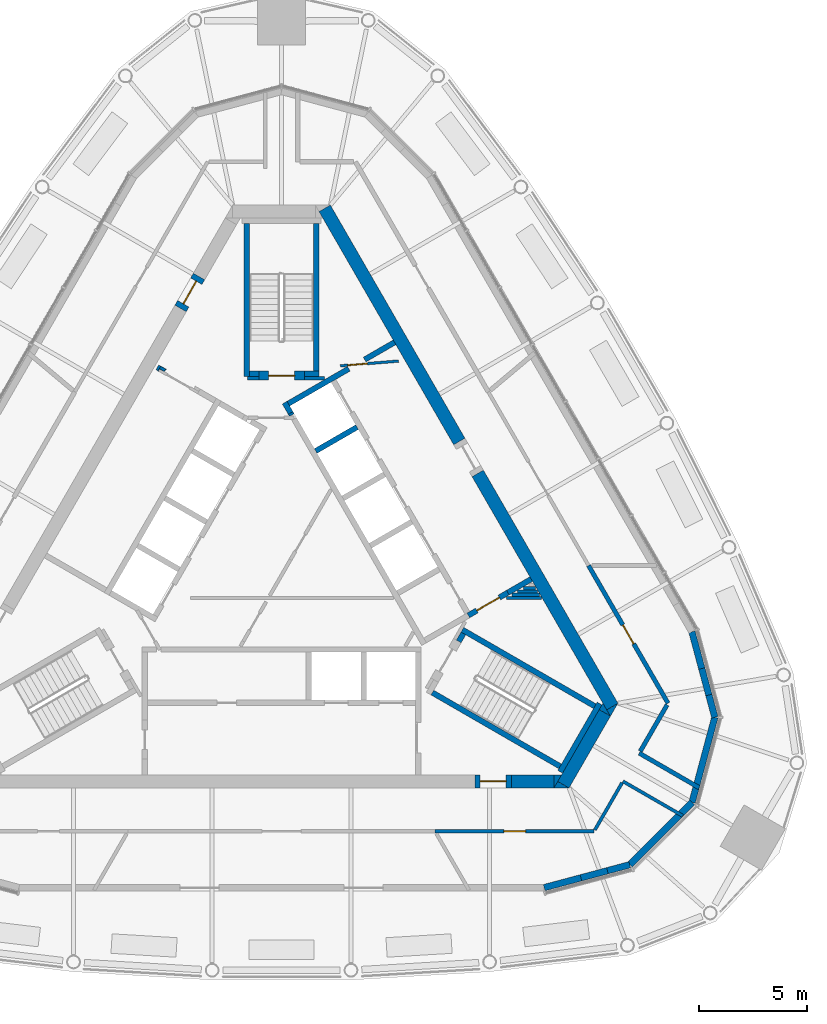
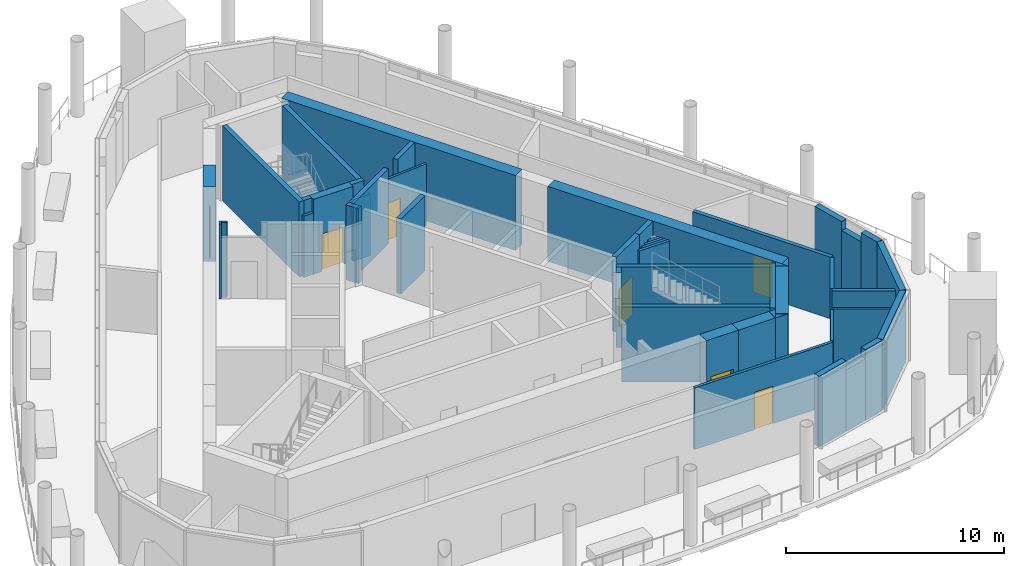
# One storey, part 8 of 15: 49 walls, 7 doors, 7 openings.
"""IFC4 building model written with IfcOpenShell, lengths in metres."""

from ifc_helpers import new_model, si_unit, direction, frame, frame_2d, origin, place, context, subcontext, project, spatial, polyline, rectangle, outline, extrude, material, layer, layer_set, type_object, element, fill, save


model = new_model("IFC4")

# Units and contexts
model_context = context("Model", 3, precision=1e-05, world=origin(), true_north=direction((0.0, 1.0)))
body_context = subcontext(model_context, "Body", "Model", "MODEL_VIEW")
ifc_project = project(units=[si_unit("LENGTHUNIT", "METRE"), si_unit("AREAUNIT", "SQUARE_METRE"), si_unit("VOLUMEUNIT", "CUBIC_METRE"), si_unit("PLANEANGLEUNIT", "RADIAN"), si_unit("MASSUNIT", "GRAM", prefix="KILO")], contexts=[model_context])

# Site, building, storey
site_placement = place(None, origin())
site = spatial("IfcSite", under=ifc_project, at=site_placement, CompositionType="ELEMENT")
building_placement = place(site_placement, origin())
building = spatial("IfcBuilding", under=site, at=building_placement, Name="Mestral Congress Tower", CompositionType="ELEMENT")
storey_placement = place(building_placement, frame((0.0, 0.0, 327.60009765625)))
storey = spatial("IfcBuildingStorey", under=building, at=storey_placement, Name="L76", CompositionType="ELEMENT", Elevation=327.60009765625)

# Walls
ifc_material_1 = material(Name="Fire-rated board partition")
ifc_layer_1 = layer(ifc_material_1, 0.14990234375)
ifc_layer_set_1 = layer_set([ifc_layer_1], Name="Fire-rated board partition")
wall_type_1 = type_object("IfcWallType", Name="Core partition 150", PredefinedType="PARTITIONING", material=ifc_layer_set_1)
wall_1_placement = place(storey_placement, frame((1.050048828125, 8.62548828125, 0.0), z_axis=(0.0, 0.0, 1.0), x_axis=(1.0, 0.0, 0.0)))
element("IfcWall", 1, at=wall_1_placement, inside=storey, type_object=wall_type_1, Name="L76 core wall", PredefinedType="PARTITIONING", context=body_context, shape_type="SweptSolid", body=[
    extrude(rectangle(XDim=0.9287109375, YDim=0.14990234375, at=frame_2d((0.46435546875, 0.0))), origin(), (0.0, 0.0, 1.0), 3.449951171875),
])
wall_2_placement = place(storey_placement, frame((-1.56396484375, 8.62548828125, 0.0), z_axis=(0.0, 0.0, 1.0), x_axis=(1.0, 0.0, 0.0)))
element("IfcWall", 2, at=wall_2_placement, inside=storey, type_object=wall_type_1, Name="L76 core wall", PredefinedType="PARTITIONING", context=body_context, shape_type="SweptSolid", body=[
    extrude(rectangle(XDim=0.513916015625, YDim=0.14990234375, at=frame_2d((0.2568359375, 0.0))), origin(), (0.0, 0.0, 1.0), 3.449951171875),
])
wall_3_placement = place(storey_placement, frame((10.3623046875, -1.5, 0.0), z_axis=(0.0, 0.0, 1.0), x_axis=(1.0, 0.0, 0.0)))
element("IfcWall", 3, at=wall_3_placement, inside=storey, type_object=wall_type_1, Name="L76 core wall", PredefinedType="PARTITIONING", context=body_context, shape_type="SweptSolid", body=[
    extrude(rectangle(XDim=1.60986328125, YDim=0.14990234375, at=frame_2d((0.804931640625, 0.0))), origin(), (0.0, 0.0, 1.0), 3.449951171875),
])
wall_4_placement = place(storey_placement, frame((10.6220703125, -1.35009765625, 0.0), z_axis=(0.0, 0.0, 1.0), x_axis=(1.0, 0.0, 0.0)))
element("IfcWall", 4, at=wall_4_placement, inside=storey, type_object=wall_type_1, Name="L76 core wall", PredefinedType="PARTITIONING", context=body_context, shape_type="SweptSolid", body=[
    extrude(rectangle(XDim=1.263427734375, YDim=0.14990234375, at=frame_2d((0.6318359375, 0.0))), origin(), (0.0, 0.0, 1.0), 3.449951171875),
])
wall_5_placement = place(storey_placement, frame((10.881591796875, -1.199951171875, 0.0), z_axis=(0.0, 0.0, 1.0), x_axis=(1.0, 0.0, 0.0)))
element("IfcWall", 5, at=wall_5_placement, inside=storey, type_object=wall_type_1, Name="L76 core wall", PredefinedType="PARTITIONING", context=body_context, shape_type="SweptSolid", body=[
    extrude(rectangle(XDim=0.91748046875, YDim=0.14990234375, at=frame_2d((0.458740234375, 0.0))), origin(), (0.0, 0.0, 1.0), 3.449951171875),
])
wall_6_placement = place(storey_placement, frame((11.71240234375, -1.050048828125, 0.0), z_axis=(0.0, 0.0, 1.0), x_axis=(-1.0, 0.0, 0.0)))
element("IfcWall", 6, at=wall_6_placement, inside=storey, type_object=wall_type_1, Name="L76 core wall", PredefinedType="PARTITIONING", context=body_context, shape_type="SweptSolid", body=[
    extrude(rectangle(XDim=0.57080078125, YDim=0.14990234375, at=frame_2d((0.285400390625, 0.0))), origin(), (0.0, 0.0, 1.0), 3.449951171875),
])

# Wall, opening, door
ifc_layer_2 = layer(ifc_material_1, 0.1201171875)
ifc_layer_set_2 = layer_set([ifc_layer_2], Name="Fire-rated board partition")
wall_type_2 = type_object("IfcWallType", Name="Core partition 150 door-wall 120", PredefinedType="PARTITIONING", material=ifc_layer_set_2)
wall_7_placement = place(storey_placement, frame((5.3984375, 9.418701171875, 0.0), z_axis=(0.0, 0.0, 1.0), x_axis=(-0.996653416376, -0.081743303248, 0.0)))
wall_7 = element("IfcWall", 7, at=wall_7_placement, inside=storey, type_object=wall_type_2, Name="L76 door wall", PredefinedType="PARTITIONING", context=body_context, shape_type="SweptSolid", body=[
    extrude(rectangle(XDim=2.699951171875, YDim=0.119873046875, at=frame_2d((1.35009765625, 0.0))), origin(), (0.0, 0.0, 1.0), 3.449951171875),
])
opening_1_placement = place(wall_7_placement, frame((1.449951171875, 0.0, 0.0)))
opening_1 = element("IfcOpeningElement", 8, at=opening_1_placement, cuts=wall_7, Name="Opening TD2", PredefinedType="OPENING", context=body_context, shape_type="SweptSolid", body=[
    extrude(rectangle(XDim=0.89990234375, YDim=2.10009765625, at=frame_2d((0.449951171875, 1.050048828125))), frame((0.0, 0.06982421875, 0.0), z_axis=(0.0, -1.0, 0.0), x_axis=(1.0, 0.0, 0.0)), (0.0, 0.0, 1.0), 0.139892578125),
])
ifc_material_2 = material(Name="Fire-rated steel door set", Category="steel")
door_type_1 = type_object("IfcDoorType", Name="Core door SR 900x2100", OperationType="SINGLE_SWING_LEFT", PredefinedType="DOOR", material=ifc_material_2)
door_1_placement = place(opening_1_placement, origin())
door_1 = element("IfcDoor", 9, at=door_1_placement, inside=storey, type_object=door_type_1, Name="Door TD2", OperationType="SINGLE_SWING_LEFT", OverallHeight=2.10009765625, OverallWidth=0.89990234375, PredefinedType="DOOR", context=body_context, shape_type="SweptSolid", body=[
    extrude(rectangle(XDim=0.89990234375, YDim=2.10009765625, at=frame_2d((0.449951171875, 1.050048828125))), frame((0.0, 0.02490234375, 0.0), z_axis=(0.0, -1.0, 0.0), x_axis=(1.0, 0.0, 0.0)), (0.0, 0.0, 1.0), 0.050048828125),
])
fill(opening_1, door_1)

# Walls
ifc_material_3 = material(Name="Concrete C60/75", Category="concrete")
ifc_layer_3 = layer(ifc_material_3, 0.60009765625)
ifc_layer_set_3 = layer_set([ifc_layer_3], Name="Concrete C60/75")
wall_type_3 = type_object("IfcWallType", Name="Core wall RC 600", PredefinedType="SOLIDWALL", material=ifc_layer_set_3)
wall_8_placement = place(storey_placement, frame((9.0419921875, 4.23876953125, 0.0), z_axis=(0.0, 0.0, 1.0), x_axis=(0.500005785455, -0.866022063525, 0.0)))
element("IfcWall", 10, at=wall_8_placement, inside=storey, type_object=wall_type_3, Name="L76 core wall", PredefinedType="SOLIDWALL", context=body_context, shape_type="SweptSolid", body=[
    extrude(rectangle(XDim=12.406494140625, YDim=0.60009765625, at=frame_2d((6.203125, 0.0))), origin(), (0.0, 0.0, 1.0), 4.199951171875),
])
placement = place(storey_placement, origin())
element("IfcWall", 11, at=placement, inside=storey, type_object=wall_type_3, Name="L76 core wall", PredefinedType="SOLIDWALL", context=body_context, shape_type="SweptSolid", body=[
    extrude(outline(polyline([(15.155517578125, -6.949951171875), (14.986572265625, -6.6572265625), (15.493408203125, -6.364501953125), (15.155517578125, -6.949951171875)])), origin(), (0.0, 0.0, 1.0), 4.199951171875),
])
wall_10_placement = place(storey_placement, frame((12.9873046875, -10.105712890625, 0.0), z_axis=(0.0, 0.0, 1.0), x_axis=(0.499950938802, 0.866053727428, 0.0)))
element("IfcWall", 12, at=wall_10_placement, inside=storey, type_object=wall_type_3, Name="L76 core wall", PredefinedType="SOLIDWALL", context=body_context, shape_type="SweptSolid", body=[
    extrude(rectangle(XDim=3.8232421875, YDim=0.60009765625, at=frame_2d((1.91162109375, 0.0))), origin(), (0.0, 0.0, 1.0), 4.199951171875),
])
element("IfcWall", 13, at=placement, inside=storey, type_object=wall_type_3, Name="L76 core wall", PredefinedType="SOLIDWALL", context=body_context, shape_type="SweptSolid", body=[
    extrude(outline(polyline([(12.726318359375, -9.957275390625), (13.2333984375, -10.25), (12.557373046875, -10.25), (12.726318359375, -9.957275390625)])), origin(), (0.0, 0.0, 1.0), 4.199951171875),
])
element("IfcWall", 14, at=placement, inside=storey, type_object=wall_type_3, Name="L76 core wall", PredefinedType="SOLIDWALL", context=body_context, shape_type="SweptSolid", body=[
    extrude(outline(polyline([(14.80908203125, -6.35009765625), (15.147216796875, -6.935791015625), (14.639892578125, -6.642822265625), (14.80908203125, -6.35009765625)])), origin(), (0.0, 0.0, 1.0), 4.199951171875),
])
wall_13_placement = place(storey_placement, frame((10.6044921875, -9.949951171875, 0.0), z_axis=(0.0, 0.0, 1.0), x_axis=(1.0, 0.0, 0.0)))
element("IfcWall", 15, at=wall_13_placement, inside=storey, type_object=wall_type_3, Name="L76 core wall", PredefinedType="SOLIDWALL", context=body_context, shape_type="SweptSolid", body=[
    extrude(rectangle(XDim=1.959228515625, YDim=0.60009765625, at=frame_2d((0.9794921875, 0.0))), origin(), (0.0, 0.0, 1.0), 4.199951171875),
])
element("IfcWall", 16, at=placement, inside=storey, type_object=wall_type_3, Name="L76 core wall", PredefinedType="SOLIDWALL", context=body_context, shape_type="SweptSolid", body=[
    extrude(outline(polyline([(12.90380859375, -9.64990234375), (12.56591796875, -10.235595703125), (12.56591796875, -9.64990234375), (12.90380859375, -9.64990234375)])), origin(), (0.0, 0.0, 1.0), 4.199951171875),
])
wall_15_placement = place(storey_placement, frame((1.98876953125, 16.45556640625, 0.0), z_axis=(0.0, 0.0, 1.0), x_axis=(0.49999102663, -0.8660305845, 0.0)))
element("IfcWall", 17, at=wall_15_placement, inside=storey, type_object=wall_type_3, Name="L76 core wall", PredefinedType="SOLIDWALL", context=body_context, shape_type="SweptSolid", body=[
    extrude(rectangle(XDim=12.406494140625, YDim=0.60009765625, at=frame_2d((6.203125, 0.0))), origin(), (0.0, 0.0, 1.0), 4.199951171875),
])

# Wall, opening, door
wall_16_placement = place(storey_placement, frame((10.6044921875, -9.949951171875, 0.0), z_axis=(0.0, 0.0, 1.0), x_axis=(-1.0, 0.0, 0.0)))
wall_16 = element("IfcWall", 18, at=wall_16_placement, inside=storey, type_object=wall_type_3, Name="L76 door wall", PredefinedType="SOLIDWALL", context=body_context, shape_type="SweptSolid", body=[
    extrude(rectangle(XDim=1.699951171875, YDim=0.60009765625, at=frame_2d((0.85009765625, 0.0))), origin(), (0.0, 0.0, 1.0), 4.199951171875),
])
opening_2_placement = place(wall_16_placement, frame((0.25, 0.0, 0.0)))
opening_2 = element("IfcOpeningElement", 19, at=opening_2_placement, cuts=wall_16, Name="Opening XD1", PredefinedType="OPENING", context=body_context, shape_type="SweptSolid", body=[
    extrude(rectangle(XDim=1.199951171875, YDim=2.10009765625, at=frame_2d((0.60009765625, 1.050048828125))), frame((0.0, 0.31005859375, 0.0), z_axis=(0.0, -1.0, 0.0), x_axis=(1.0, 0.0, 0.0)), (0.0, 0.0, 1.0), 0.6201171875),
])
door_type_2 = type_object("IfcDoorType", Name="Core door XD 1200x2100", OperationType="SINGLE_SWING_LEFT", PredefinedType="DOOR", material=ifc_material_2)
door_2_placement = place(opening_2_placement, origin())
door_2 = element("IfcDoor", 20, at=door_2_placement, inside=storey, type_object=door_type_2, Name="Door XD1", OperationType="SINGLE_SWING_LEFT", OverallHeight=2.10009765625, OverallWidth=1.199951171875, PredefinedType="DOOR", context=body_context, shape_type="SweptSolid", body=[
    extrude(rectangle(XDim=1.199951171875, YDim=2.10009765625, at=frame_2d((0.60009765625, 1.050048828125))), frame((0.0, 0.02490234375, 0.0), z_axis=(0.0, -1.0, 0.0), x_axis=(1.0, 0.0, 0.0)), (0.0, 0.0, 1.0), 0.050048828125),
])
fill(opening_2, door_2)

wall_17_placement = place(storey_placement, frame((-4.65234375, 11.842041015625, 0.0), z_axis=(0.0, 0.0, 1.0), x_axis=(0.500062241894, 0.865989465428, 0.0)))
wall_17 = element("IfcWall", 21, at=wall_17_placement, inside=storey, type_object=wall_type_3, Name="L76 door wall", PredefinedType="SOLIDWALL", context=body_context, shape_type="SweptSolid", body=[
    extrude(rectangle(XDim=1.699951171875, YDim=0.60009765625, at=frame_2d((0.85009765625, 0.0))), origin(), (0.0, 0.0, 1.0), 4.199951171875),
])
opening_3_placement = place(wall_17_placement, frame((0.25, 0.0, 0.0)))
opening_3 = element("IfcOpeningElement", 22, at=opening_3_placement, cuts=wall_17, Name="Opening XD2", PredefinedType="OPENING", context=body_context, shape_type="SweptSolid", body=[
    extrude(rectangle(XDim=1.199951171875, YDim=2.10009765625, at=frame_2d((0.60009765625, 1.050048828125))), frame((0.0, 0.31005859375, 0.0), z_axis=(0.0, -1.0, 0.0), x_axis=(1.0, 0.0, 0.0)), (0.0, 0.0, 1.0), 0.6201171875),
])
door_3_placement = place(opening_3_placement, origin())
door_3 = element("IfcDoor", 23, at=door_3_placement, inside=storey, type_object=door_type_2, Name="Door XD2", OperationType="SINGLE_SWING_LEFT", OverallHeight=2.10009765625, OverallWidth=1.199951171875, PredefinedType="DOOR", context=body_context, shape_type="SweptSolid", body=[
    extrude(rectangle(XDim=1.199951171875, YDim=2.10009765625, at=frame_2d((0.60009765625, 1.050048828125))), frame((0.0, 0.02490234375, 0.0), z_axis=(0.0, -1.0, 0.0), x_axis=(1.0, 0.0, 0.0)), (0.0, 0.0, 1.0), 0.050048828125),
])
fill(opening_3, door_3)

# Walls
ifc_material_4 = material(Name="Precast concrete C40/50 with limestone facing", Category="masonry")
ifc_layer_4 = layer(ifc_material_4, 0.300048828125)
ifc_layer_set_4 = layer_set([ifc_layer_4], Name="Precast concrete C40/50 with limestone facing")
wall_type_4 = type_object("IfcWallType", Name="Crown plant block wall 300", PredefinedType="SOLIDWALL", material=ifc_layer_set_4)
wall_18_placement = place(storey_placement, frame((12.104736328125, -14.85009765625, 0.0), z_axis=(0.0, 0.0, 1.0), x_axis=(0.965915089044, 0.258859113723, 0.0)))
element("IfcWall", 24, at=wall_18_placement, inside=storey, type_object=wall_type_4, Name="Plant block wall 1", PredefinedType="SOLIDWALL", context=body_context, shape_type="SweptSolid", body=[
    extrude(rectangle(XDim=1.75244140625, YDim=0.300048828125, at=frame_2d((0.876220703125, 0.0))), origin(), (0.0, 0.0, 1.0), 3.949951171875),
])
wall_19_placement = place(storey_placement, frame((15.018310546875, -14.0693359375, 0.0), z_axis=(0.0, 0.0, 1.0), x_axis=(0.965918371587, 0.258846864828, 0.0)))
element("IfcWall", 25, at=wall_19_placement, inside=storey, type_object=wall_type_4, Name="Plant block wall 1", PredefinedType="SOLIDWALL", context=body_context, shape_type="SweptSolid", body=[
    extrude(rectangle(XDim=1.06494140625, YDim=0.300048828125, at=frame_2d((0.532470703125, 0.0))), origin(), (0.0, 0.0, 1.0), 3.949951171875),
])
for number, where, z_axis, x_axis, name in (
    (26, (16.046875, -13.793701171875, 0.0), (0.0, 0.0, 1.0), (0.707106781187, 0.707106781187, 0.0), "Plant block wall 2"),
    (27, (18.918212890625, -10.92236328125, 0.0), (0.0, 0.0, 1.0), (0.258770144726, 0.965938927779, 0.0), "Plant block wall 3"),
):
    element("IfcWall", number, at=place(storey_placement, frame(where, z_axis=z_axis, x_axis=x_axis)), inside=storey, type_object=wall_type_4, Name=name, PredefinedType="SOLIDWALL", context=body_context, shape_type="SweptSolid", body=[
        extrude(rectangle(XDim=4.060791015625, YDim=0.300048828125, at=frame_2d((2.0302734375, 0.0))), origin(), (0.0, 0.0, 1.0), 3.949951171875),
    ])
wall_20_placement = place(storey_placement, frame((19.968994140625, -7.0, 0.0), z_axis=(0.0, 0.0, 1.0), x_axis=(-0.258690231517, 0.96596033258, 0.0)))
element("IfcWall", 28, at=wall_20_placement, inside=storey, type_object=wall_type_4, Name="Plant block wall 4", PredefinedType="SOLIDWALL", context=body_context, shape_type="SweptSolid", body=[
    extrude(rectangle(XDim=1.064453125, YDim=0.300048828125, at=frame_2d((0.5322265625, 0.0))), origin(), (0.0, 0.0, 1.0), 3.949951171875),
])
wall_21_placement = place(storey_placement, frame((19.366455078125, -4.750732421875, 0.0), z_axis=(0.0, 0.0, 1.0), x_axis=(-0.258824282894, 0.965924422812, 0.0)))
element("IfcWall", 29, at=wall_21_placement, inside=storey, type_object=wall_type_4, Name="Plant block wall 4", PredefinedType="SOLIDWALL", context=body_context, shape_type="SweptSolid", body=[
    extrude(rectangle(XDim=1.752685546875, YDim=0.300048828125, at=frame_2d((0.87646484375, 0.0))), origin(), (0.0, 0.0, 1.0), 3.949951171875),
])
ifc_layer_5 = layer(ifc_material_4, 0.300048828125)
ifc_layer_set_5 = layer_set([ifc_layer_5], Name="Precast concrete C40/50 with limestone facing")
wall_type_5 = type_object("IfcWallType", Name="Crown plant block wall 300 under girder", PredefinedType="SOLIDWALL", material=ifc_layer_set_5)
for number, where, z_axis, x_axis, name in (
    (30, (13.79736328125, -14.396484375, 0.0), (0.0, 0.0, 1.0), (0.965926498018, 0.258816538161, 0.0), "Plant block wall 1"),
    (31, (19.693603515625, -5.9716796875, 0.0), (0.0, 0.0, 1.0), (-0.258816538161, 0.965926498018, 0.0), "Plant block wall 4"),
):
    element("IfcWall", number, at=place(storey_placement, frame(where, z_axis=z_axis, x_axis=x_axis)), inside=storey, type_object=wall_type_5, Name=name, PredefinedType="SOLIDWALL", context=body_context, shape_type="SweptSolid", body=[
        extrude(rectangle(XDim=1.263916015625, YDim=0.300048828125, at=frame_2d((0.6318359375, 0.0))), origin(), (0.0, 0.0, 1.0), 3.449951171875),
    ])
ifc_layer_6 = layer(ifc_material_3, 0.25)
ifc_layer_set_6 = layer_set([ifc_layer_6], Name="Concrete C60/75")
wall_type_6 = type_object("IfcWallType", Name="Shaft wall RC 250", PredefinedType="SOLIDWALL", material=ifc_layer_set_6)
wall_22_placement = place(storey_placement, frame((11.507080078125, -0.631103515625, 0.0), z_axis=(0.0, 0.0, 1.0), x_axis=(-0.866025525965, -0.499999788377, 0.0)))
element("IfcWall", 32, at=wall_22_placement, inside=storey, type_object=wall_type_6, Name="L76 core wall", PredefinedType="SOLIDWALL", context=body_context, shape_type="SweptSolid", body=[
    extrude(rectangle(XDim=1.24462890625, YDim=0.25, at=frame_2d((0.622314453125, 0.0))), origin(), (0.0, 0.0, 1.0), 4.199951171875),
])
wall_23_placement = place(storey_placement, frame((0.473388671875, 6.93017578125, 0.0), z_axis=(0.0, 0.0, 1.0), x_axis=(-0.49972245349, 0.866185586049, 0.0)))
element("IfcWall", 33, at=wall_23_placement, inside=storey, type_object=wall_type_6, Name="L76 core wall", PredefinedType="SOLIDWALL", context=body_context, shape_type="SweptSolid", body=[
    extrude(rectangle(XDim=0.10986328125, YDim=0.25, at=frame_2d((0.054931640625, 0.0))), origin(), (0.0, 0.0, 1.0), 4.199951171875),
])
wall_24_placement = place(storey_placement, frame((0.41748046875, 7.027099609375, 0.0), z_axis=(0.0, 0.0, 1.0), x_axis=(-0.500210807569, 0.865903659763, 0.0)))
element("IfcWall", 34, at=wall_24_placement, inside=storey, type_object=wall_type_6, Name="L76 core wall", PredefinedType="SOLIDWALL", context=body_context, shape_type="SweptSolid", body=[
    extrude(rectangle(XDim=0.548095703125, YDim=0.25, at=frame_2d((0.27392578125, 0.0))), origin(), (0.0, 0.0, 1.0), 4.199951171875),
])
wall_25_placement = place(storey_placement, frame((3.10009765625, 9.064453125, 0.0), z_axis=(0.0, 0.0, 1.0), x_axis=(-0.866030133475, -0.499991807846, 0.0)))
element("IfcWall", 35, at=wall_25_placement, inside=storey, type_object=wall_type_6, Name="L76 core wall", PredefinedType="SOLIDWALL", context=body_context, shape_type="SweptSolid", body=[
    extrude(rectangle(XDim=3.216796875, YDim=0.25, at=frame_2d((1.6083984375, 0.0))), origin(), (0.0, 0.0, 1.0), 4.199951171875),
])
wall_26_placement = place(storey_placement, frame((1.57421875, 5.273681640625, 0.0), z_axis=(0.0, 0.0, 1.0), x_axis=(0.866028486751, 0.499994660107, 0.0)))
element("IfcWall", 36, at=wall_26_placement, inside=storey, type_object=wall_type_6, Name="L76 core wall", PredefinedType="SOLIDWALL", context=body_context, shape_type="SweptSolid", body=[
    extrude(rectangle(XDim=2.19970703125, YDim=0.25, at=frame_2d((1.099853515625, 0.0))), origin(), (0.0, 0.0, 1.0), 4.199951171875),
])
wall_27_placement = place(storey_placement, frame((3.82958984375, 9.485595703125, 0.0), z_axis=(0.0, 0.0, 1.0), x_axis=(0.865986202621, 0.500067892261, 0.0)))
element("IfcWall", 37, at=wall_27_placement, inside=storey, type_object=wall_type_6, Name="L76 core wall", PredefinedType="SOLIDWALL", context=body_context, shape_type="SweptSolid", body=[
    extrude(rectangle(XDim=1.590576171875, YDim=0.25, at=frame_2d((0.79541015625, 0.0))), origin(), (0.0, 0.0, 1.0), 4.199951171875),
])
wall_28_placement = place(storey_placement, frame((-5.724609375, 9.124755859375, 0.0), z_axis=(0.0, 0.0, 1.0), x_axis=(0.866185586049, -0.49972245349, 0.0)))
element("IfcWall", 38, at=wall_28_placement, inside=storey, type_object=wall_type_6, Name="L76 core wall", PredefinedType="SOLIDWALL", context=body_context, shape_type="SweptSolid", body=[
    extrude(rectangle(XDim=0.10986328125, YDim=0.25, at=frame_2d((0.054931640625, 0.0))), origin(), (0.0, 0.0, 1.0), 4.199951171875),
])
element("IfcWall", 39, at=placement, inside=storey, type_object=wall_type_6, Name="L76 core wall", PredefinedType="SOLIDWALL", context=body_context, shape_type="SweptSolid", body=[
    extrude(outline(polyline([(-5.688720703125, 8.959716796875), (-5.690185546875, 8.960693359375), (-5.565185546875, 9.177001953125), (-5.318603515625, 9.03466796875), (-5.334716796875, 9.02587890625), (-5.3505859375, 9.0146484375), (-5.36572265625, 9.001953125), (-5.37939453125, 8.98779296875), (-5.3916015625, 8.972412109375), (-5.402099609375, 8.955810546875), (-5.412109375, 8.938720703125), (-5.628662109375, 9.063720703125), (-5.628662109375, 9.063720703125), (-5.688720703125, 8.959716796875)])), origin(), (0.0, 0.0, 1.0), 4.199951171875),
])

# Wall, opening, door
wall_30_placement = place(storey_placement, frame((10.42919921875, -1.25341796875, 0.0), z_axis=(0.0, 0.0, 1.0), x_axis=(-0.866009402589, -0.500027713859, 0.0)))
wall_30 = element("IfcWall", 40, at=wall_30_placement, inside=storey, type_object=wall_type_6, Name="L76 door wall", PredefinedType="SOLIDWALL", context=body_context, shape_type="SweptSolid", body=[
    extrude(rectangle(XDim=2.10009765625, YDim=0.25, at=frame_2d((1.050048828125, 0.0))), origin(), (0.0, 0.0, 1.0), 4.199951171875),
])
opening_4_placement = place(wall_30_placement, frame((0.449951171875, 0.0, 0.0)))
opening_4 = element("IfcOpeningElement", 41, at=opening_4_placement, cuts=wall_30, Name="Opening LB1-PX10", PredefinedType="OPENING", context=body_context, shape_type="SweptSolid", body=[
    extrude(rectangle(XDim=1.199951171875, YDim=2.10009765625, at=frame_2d((0.60009765625, 1.050048828125))), frame((0.0, 0.135009765625, 0.0), z_axis=(0.0, -1.0, 0.0), x_axis=(1.0, 0.0, 0.0)), (0.0, 0.0, 1.0), 0.27001953125),
])
door_type_3 = type_object("IfcDoorType", Name="Core door LB 1200x2100", OperationType="SINGLE_SWING_LEFT", PredefinedType="DOOR", material=ifc_material_2)
door_4_placement = place(opening_4_placement, origin())
door_4 = element("IfcDoor", 42, at=door_4_placement, inside=storey, type_object=door_type_3, Name="Door LB1-PX10", OperationType="SINGLE_SWING_LEFT", OverallHeight=2.10009765625, OverallWidth=1.199951171875, PredefinedType="DOOR", context=body_context, shape_type="SweptSolid", body=[
    extrude(rectangle(XDim=1.199951171875, YDim=2.10009765625, at=frame_2d((0.60009765625, 1.050048828125))), frame((0.0, 0.02490234375, 0.0), z_axis=(0.0, -1.0, 0.0), x_axis=(1.0, 0.0, 0.0)), (0.0, 0.0, 1.0), 0.050048828125),
])
fill(opening_4, door_4)

ifc_layer_7 = layer(ifc_material_1, 0.14990234375)
ifc_layer_set_7 = layer_set([ifc_layer_7], Name="Fire-rated board partition")
wall_type_7 = type_object("IfcWallType", Name="Special partition 150 EI 180", PredefinedType="PARTITIONING", material=ifc_layer_set_7)
wall_31_placement = place(storey_placement, frame((7.082275390625, -12.25, 0.0), z_axis=(0.0, 0.0, 1.0), x_axis=(1.0, 0.0, 0.0)))
wall_31 = element("IfcWall", 43, at=wall_31_placement, inside=storey, type_object=wall_type_7, Name="Partition", PredefinedType="PARTITIONING", context=body_context, shape_type="SweptSolid", body=[
    extrude(rectangle(XDim=7.322509765625, YDim=0.14990234375, at=frame_2d((3.6611328125, 0.0))), origin(), (0.0, 0.0, 1.0), 3.449951171875),
])
opening_5_placement = place(wall_31_placement, frame((3.161376953125, 0.0, 0.0)))
opening_5 = element("IfcOpeningElement", 44, at=opening_5_placement, cuts=wall_31, Name="Opening K76-004", PredefinedType="OPENING", context=body_context, shape_type="SweptSolid", body=[
    extrude(rectangle(XDim=1.0, YDim=2.10009765625, at=frame_2d((0.5, 1.050048828125))), frame((0.0, 0.0849609375, 0.0), z_axis=(0.0, -1.0, 0.0), x_axis=(1.0, 0.0, 0.0)), (0.0, 0.0, 1.0), 0.169921875),
])
door_type_4 = type_object("IfcDoorType", Name="Assembly door 1000x2100", OperationType="SINGLE_SWING_LEFT", PredefinedType="DOOR", material=ifc_material_2)
door_5_placement = place(opening_5_placement, origin())
door_5 = element("IfcDoor", 45, at=door_5_placement, inside=storey, type_object=door_type_4, Name="Door K76-004", OperationType="SINGLE_SWING_RIGHT", OverallHeight=2.10009765625, OverallWidth=1.0, PredefinedType="DOOR", context=body_context, shape_type="SweptSolid", body=[
    extrude(rectangle(XDim=1.0, YDim=2.10009765625, at=frame_2d((0.5, 1.050048828125))), frame((0.0, 0.02490234375, 0.0), z_axis=(0.0, -1.0, 0.0), x_axis=(1.0, 0.0, 0.0)), (0.0, 0.0, 1.0), 0.050048828125),
])
fill(opening_5, door_5)

# Walls
wall_32_placement = place(storey_placement, frame((18.494384765625, -11.543701171875, 0.0), z_axis=(0.0, 0.0, 1.0), x_axis=(-0.866019818373, 0.500009674092, 0.0)))
element("IfcWall", 46, at=wall_32_placement, inside=storey, type_object=wall_type_7, Name="Partition", PredefinedType="PARTITIONING", context=body_context, shape_type="SweptSolid", body=[
    extrude(rectangle(XDim=3.1884765625, YDim=0.14990234375, at=frame_2d((1.59423828125, 0.0))), origin(), (0.0, 0.0, 1.0), 3.449951171875),
])
wall_33_placement = place(storey_placement, frame((15.693115234375, -10.018798828125, 0.0), z_axis=(0.0, 0.0, 1.0), x_axis=(-0.499983837127, -0.866034735222, 0.0)))
element("IfcWall", 47, at=wall_33_placement, inside=storey, type_object=wall_type_7, Name="Partition", PredefinedType="PARTITIONING", context=body_context, shape_type="SweptSolid", body=[
    extrude(rectangle(XDim=2.50634765625, YDim=0.14990234375, at=frame_2d((1.253173828125, 0.0))), origin(), (0.0, 0.0, 1.0), 3.449951171875),
])

# Wall, opening, door
ifc_material_5 = material(Name="Concrete block wall, plastered", Category="concrete")
ifc_layer_8 = layer(ifc_material_5, 0.199951171875)
ifc_layer_set_8 = layer_set([ifc_layer_8], Name="Concrete block wall, plastered")
wall_type_8 = type_object("IfcWallType", Name="Special partition 200 EI 120", PredefinedType="PARTITIONING", material=ifc_layer_set_8)
wall_34_placement = place(storey_placement, frame((17.811279296875, -6.35009765625, 0.0), z_axis=(0.0, 0.0, 1.0), x_axis=(-0.50000817069, 0.866020686383, 0.0)))
wall_34 = element("IfcWall", 48, at=wall_34_placement, inside=storey, type_object=wall_type_8, Name="Partition", PredefinedType="PARTITIONING", context=body_context, shape_type="SweptSolid", body=[
    extrude(rectangle(XDim=7.32275390625, YDim=0.199951171875, at=frame_2d((3.661376953125, 0.0))), origin(), (0.0, 0.0, 1.0), 3.449951171875),
])
opening_6_placement = place(wall_34_placement, frame((3.161376953125, 0.0, 0.0)))
opening_6 = element("IfcOpeningElement", 49, at=opening_6_placement, cuts=wall_34, Name="Opening K76-005", PredefinedType="OPENING", context=body_context, shape_type="SweptSolid", body=[
    extrude(rectangle(XDim=1.0, YDim=2.10009765625, at=frame_2d((0.5, 1.050048828125))), frame((0.0, 0.10986328125, 0.0), z_axis=(0.0, -1.0, 0.0), x_axis=(1.0, 0.0, 0.0)), (0.0, 0.0, 1.0), 0.219970703125),
])
door_type_5 = type_object("IfcDoorType", Name="Service door 1000x2100", OperationType="SINGLE_SWING_LEFT", PredefinedType="DOOR", material=ifc_material_2)
door_6_placement = place(opening_6_placement, origin())
door_6 = element("IfcDoor", 50, at=door_6_placement, inside=storey, type_object=door_type_5, Name="Door K76-005", OperationType="SINGLE_SWING_RIGHT", OverallHeight=2.10009765625, OverallWidth=1.0, PredefinedType="DOOR", context=body_context, shape_type="SweptSolid", body=[
    extrude(rectangle(XDim=1.0, YDim=2.10009765625, at=frame_2d((0.5, 1.050048828125))), frame((0.0, 0.02490234375, 0.0), z_axis=(0.0, -1.0, 0.0), x_axis=(1.0, 0.0, 0.0)), (0.0, 0.0, 1.0), 0.050048828125),
])
fill(opening_6, door_6)

# Walls
wall_35_placement = place(storey_placement, frame((16.483154296875, -8.650390625, 0.0), z_axis=(0.0, 0.0, 1.0), x_axis=(0.866019818373, -0.500009674092, 0.0)))
element("IfcWall", 51, at=wall_35_placement, inside=storey, type_object=wall_type_8, Name="Partition", PredefinedType="PARTITIONING", context=body_context, shape_type="SweptSolid", body=[
    extrude(rectangle(XDim=3.1884765625, YDim=0.199951171875, at=frame_2d((1.59423828125, 0.0))), origin(), (0.0, 0.0, 1.0), 3.449951171875),
])
wall_36_placement = place(storey_placement, frame((17.766357421875, -6.427978515625, 0.0), z_axis=(0.0, 0.0, 1.0), x_axis=(-0.49998236749, -0.86603558368, 0.0)))
element("IfcWall", 52, at=wall_36_placement, inside=storey, type_object=wall_type_8, Name="Partition", PredefinedType="PARTITIONING", context=body_context, shape_type="SweptSolid", body=[
    extrude(rectangle(XDim=2.46630859375, YDim=0.199951171875, at=frame_2d((1.233154296875, 0.0))), origin(), (0.0, 0.0, 1.0), 3.449951171875),
])
ifc_layer_9 = layer(ifc_material_3, 0.25)
ifc_layer_set_9 = layer_set([ifc_layer_9], Name="Concrete C60/75")
wall_type_9 = type_object("IfcWallType", Name="Stair wall RC 250", PredefinedType="SOLIDWALL", material=ifc_layer_set_9)
wall_37_placement = place(storey_placement, frame((12.839599609375, -9.510986328125, 0.0), z_axis=(0.0, 0.0, 1.0), x_axis=(0.500048121057, 0.865997619297, 0.0)))
element("IfcWall", 53, at=wall_37_placement, inside=storey, type_object=wall_type_9, Name="L76 core wall", PredefinedType="SOLIDWALL", context=body_context, shape_type="SweptSolid", body=[
    extrude(rectangle(XDim=3.634033203125, YDim=0.25, at=frame_2d((1.81689453125, 0.0))), origin(), (0.0, 0.0, 1.0), 4.199951171875),
])
wall_38_placement = place(storey_placement, frame((12.83984375, -9.2607421875, 0.0), z_axis=(0.0, 0.0, 1.0), x_axis=(-0.866013990052, 0.500019768644, 0.0)))
element("IfcWall", 54, at=wall_38_placement, inside=storey, type_object=wall_type_9, Name="L76 core wall", PredefinedType="SOLIDWALL", context=body_context, shape_type="SweptSolid", body=[
    extrude(rectangle(XDim=6.800048828125, YDim=0.25, at=frame_2d((3.39990234375, 0.0))), origin(), (0.0, 0.0, 1.0), 4.199951171875),
])
wall_39_placement = place(storey_placement, frame((8.33447265625, -2.96435546875, 0.0), z_axis=(0.0, 0.0, 1.0), x_axis=(0.866016039709, -0.500016218704, 0.0)))
element("IfcWall", 55, at=wall_39_placement, inside=storey, type_object=wall_type_9, Name="L76 core wall", PredefinedType="SOLIDWALL", context=body_context, shape_type="SweptSolid", body=[
    extrude(rectangle(XDim=7.050048828125, YDim=0.25, at=frame_2d((3.52490234375, 0.0))), origin(), (0.0, 0.0, 1.0), 4.199951171875),
])
wall_40_placement = place(storey_placement, frame((8.167724609375, -3.503173828125, 0.0), z_axis=(0.0, 0.0, 1.0), x_axis=(0.49972245349, 0.866185586049, 0.0)))
element("IfcWall", 56, at=wall_40_placement, inside=storey, type_object=wall_type_9, Name="L76 core wall", PredefinedType="SOLIDWALL", context=body_context, shape_type="SweptSolid", body=[
    extrude(rectangle(XDim=0.425048828125, YDim=0.25, at=frame_2d((0.21240234375, 0.0))), origin(), (0.0, 0.0, 1.0), 4.199951171875),
])
wall_41_placement = place(storey_placement, frame((1.60009765625, 8.949951171875, 0.0), z_axis=(0.0, 0.0, 1.0), x_axis=(0.0, 1.0, 0.0)))
element("IfcWall", 57, at=wall_41_placement, inside=storey, type_object=wall_type_9, Name="L76 core wall", PredefinedType="SOLIDWALL", context=body_context, shape_type="SweptSolid", body=[
    extrude(rectangle(XDim=6.800048828125, YDim=0.25, at=frame_2d((3.39990234375, 0.0))), origin(), (0.0, 0.0, 1.0), 4.199951171875),
])
wall_42_placement = place(storey_placement, frame((1.050048828125, 8.824951171875, 0.0), z_axis=(0.0, 0.0, 1.0), x_axis=(1.0, 0.0, 0.0)))
element("IfcWall", 58, at=wall_42_placement, inside=storey, type_object=wall_type_9, Name="L76 core wall", PredefinedType="SOLIDWALL", context=body_context, shape_type="SweptSolid", body=[
    extrude(rectangle(XDim=0.675048828125, YDim=0.25, at=frame_2d((0.33740234375, 0.0))), origin(), (0.0, 0.0, 1.0), 4.199951171875),
])
wall_43_placement = place(storey_placement, frame((-1.60009765625, 8.699951171875, 0.0), z_axis=(0.0, 0.0, 1.0), x_axis=(0.0, 1.0, 0.0)))
element("IfcWall", 59, at=wall_43_placement, inside=storey, type_object=wall_type_9, Name="L76 core wall", PredefinedType="SOLIDWALL", context=body_context, shape_type="SweptSolid", body=[
    extrude(rectangle(XDim=7.050048828125, YDim=0.25, at=frame_2d((3.52490234375, 0.0))), origin(), (0.0, 0.0, 1.0), 4.199951171875),
])
wall_44_placement = place(storey_placement, frame((-1.47509765625, 8.824951171875, 0.0), z_axis=(0.0, 0.0, 1.0), x_axis=(1.0, 0.0, 0.0)))
element("IfcWall", 60, at=wall_44_placement, inside=storey, type_object=wall_type_9, Name="L76 core wall", PredefinedType="SOLIDWALL", context=body_context, shape_type="SweptSolid", body=[
    extrude(rectangle(XDim=0.425048828125, YDim=0.25, at=frame_2d((0.21240234375, 0.0))), origin(), (0.0, 0.0, 1.0), 4.199951171875),
])

# Wall, opening, door
ifc_layer_10 = layer(ifc_material_3, 0.39990234375)
ifc_layer_set_10 = layer_set([ifc_layer_10], Name="Concrete C60/75")
wall_type_10 = type_object("IfcWallType", Name="Stair wall RC 250 door-wall 400", PredefinedType="SOLIDWALL", material=ifc_layer_set_10)
wall_45_placement = place(storey_placement, frame((1.050048828125, 8.75, 0.0), z_axis=(0.0, 0.0, 1.0), x_axis=(-1.0, 0.0, 0.0)))
wall_45 = element("IfcWall", 61, at=wall_45_placement, inside=storey, type_object=wall_type_10, Name="L76 door wall", PredefinedType="SOLIDWALL", context=body_context, shape_type="SweptSolid", body=[
    extrude(rectangle(XDim=2.10009765625, YDim=0.39990234375, at=frame_2d((1.050048828125, 0.0))), origin(), (0.0, 0.0, 1.0), 4.199951171875),
])
opening_7_placement = place(wall_45_placement, frame((0.449951171875, 0.0, 0.0)))
opening_7 = element("IfcOpeningElement", 62, at=opening_7_placement, cuts=wall_45, Name="Opening ST-D2", PredefinedType="OPENING", context=body_context, shape_type="SweptSolid", body=[
    extrude(rectangle(XDim=1.199951171875, YDim=2.10009765625, at=frame_2d((0.60009765625, 1.050048828125))), frame((0.0, 0.2099609375, 0.0), z_axis=(0.0, -1.0, 0.0), x_axis=(1.0, 0.0, 0.0)), (0.0, 0.0, 1.0), 0.419921875),
])
door_type_6 = type_object("IfcDoorType", Name="Core door ST 1200x2100", OperationType="SINGLE_SWING_LEFT", PredefinedType="DOOR", material=ifc_material_2)
door_7_placement = place(opening_7_placement, origin())
door_7 = element("IfcDoor", 63, at=door_7_placement, inside=storey, type_object=door_type_6, Name="Door ST-D2", OperationType="SINGLE_SWING_LEFT", OverallHeight=2.10009765625, OverallWidth=1.199951171875, PredefinedType="DOOR", context=body_context, shape_type="SweptSolid", body=[
    extrude(rectangle(XDim=1.199951171875, YDim=2.10009765625, at=frame_2d((0.60009765625, 1.050048828125))), frame((0.0, 0.02490234375, 0.0), z_axis=(0.0, -1.0, 0.0), x_axis=(1.0, 0.0, 0.0)), (0.0, 0.0, 1.0), 0.050048828125),
])
fill(opening_7, door_7)

save(model, "model.ifc")
